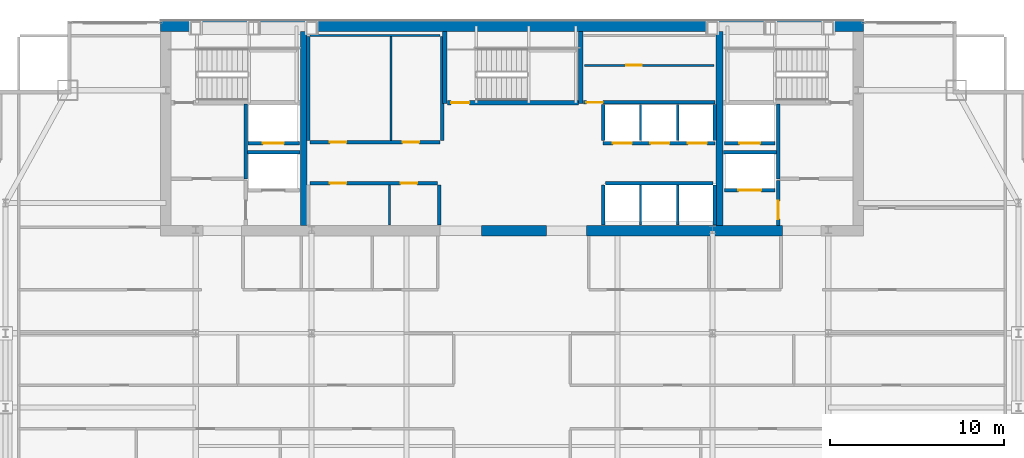
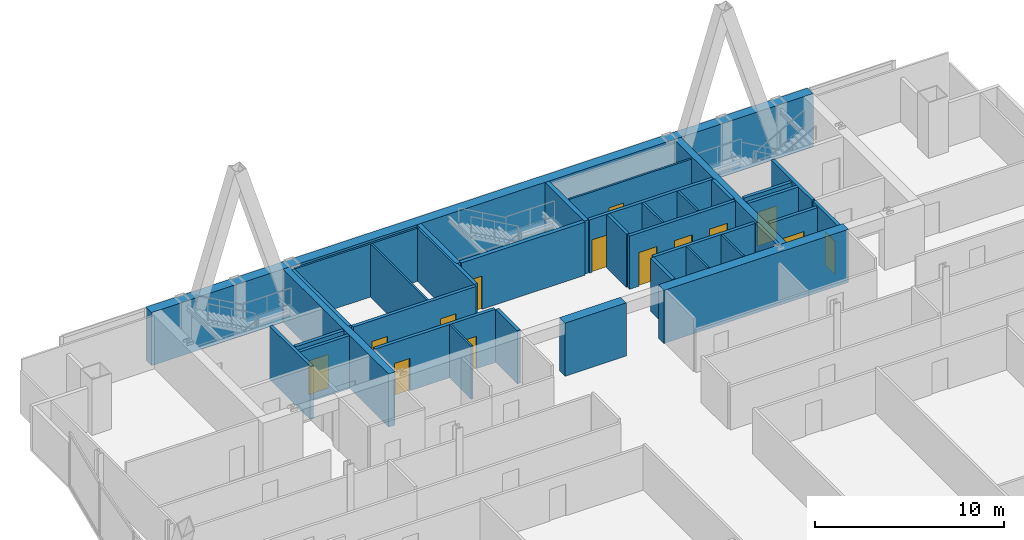
# One storey, part 29 of 32: 36 walls, 14 doors, 14 openings.
"""IFC4 building model written with IfcOpenShell, lengths in metres."""

from ifc_helpers import new_model, si_unit, direction, frame, frame_2d, origin, place, context, subcontext, project, spatial, rectangle, extrude, material, layer, layer_set, type_object, element, fill, save


model = new_model("IFC4")

# Units and contexts
model_context = context("Model", 3, precision=1e-05, world=origin(), true_north=direction((0.0, 1.0)))
body_context = subcontext(model_context, "Body", "Model", "MODEL_VIEW")
ifc_project = project(units=[si_unit("LENGTHUNIT", "METRE"), si_unit("AREAUNIT", "SQUARE_METRE"), si_unit("VOLUMEUNIT", "CUBIC_METRE"), si_unit("PLANEANGLEUNIT", "RADIAN"), si_unit("MASSUNIT", "GRAM", prefix="KILO")], contexts=[model_context])

# Site, building, storey
site_placement = place(None, origin())
site = spatial("IfcSite", under=ifc_project, at=site_placement, CompositionType="ELEMENT")
building_placement = place(site_placement, origin())
building = spatial("IfcBuilding", under=site, at=building_placement, Name="Khoronbel Lancet Exchange", CompositionType="ELEMENT")
storey_placement = place(building_placement, frame((0.0, 0.0, 221.0)))
storey = spatial("IfcBuildingStorey", under=building, at=storey_placement, Name="L56", CompositionType="ELEMENT", Elevation=221.0)

# Walls
ifc_material_1 = material(Name="Concrete C60/75", Category="concrete")
ifc_layer_1 = layer(ifc_material_1, 0.60009765625, Name="Concrete C60/75")
ifc_layer_set_1 = layer_set([ifc_layer_1], Name="Concrete C60/75")
wall_type_1 = type_object("IfcWallType", Name="WL-CW3", PredefinedType="SHEAR", material=ifc_layer_set_1)
wall_1_placement = place(storey_placement, frame((16.199951171875, 53.39990234375, 0.0), z_axis=(0.0, 0.0, 1.0), x_axis=(1.0, 0.0, 0.0)))
element("IfcWall", 1, at=wall_1_placement, inside=storey, type_object=wall_type_1, Name="Level L56 rear core north shear wall", PredefinedType="SHEAR", context=body_context, shape_type="SweptSolid", body=[
    extrude(rectangle(XDim=40.5, YDim=0.60009765625, at=frame_2d((20.25, 0.0))), origin(), (0.0, 0.0, 1.0), 3.43994140625),
])
wall_2_placement = place(storey_placement, frame((38.449951171875, 41.60009765625, 0.0), z_axis=(0.0, 0.0, 1.0), x_axis=(-1.0, 0.0, 0.0)))
element("IfcWall", 2, at=wall_2_placement, inside=storey, type_object=wall_type_1, Name="Level L56 rear core south shear wall pier P3", PredefinedType="SHEAR", context=body_context, shape_type="SweptSolid", body=[
    extrude(rectangle(XDim=3.75, YDim=0.60009765625, at=frame_2d((1.875, 0.0))), origin(), (0.0, 0.0, 1.0), 3.43994140625),
])
wall_3_placement = place(storey_placement, frame((52.050048828125, 41.60009765625, 0.0), z_axis=(0.0, 0.0, 1.0), x_axis=(-1.0, 0.0, 0.0)))
element("IfcWall", 3, at=wall_3_placement, inside=storey, type_object=wall_type_1, Name="Level L56 rear core south shear wall pier P4", PredefinedType="SHEAR", context=body_context, shape_type="SweptSolid", body=[
    extrude(rectangle(XDim=11.300048828125, YDim=0.60009765625, at=frame_2d((5.64990234375, 0.0))), origin(), (0.0, 0.0, 1.0), 3.43994140625),
])
ifc_material_2 = material(Name="Fire-Rated Metal-Stud & Mineral-Wool Gypsum Partition 120 mm", Category="gypsum")
ifc_layer_2 = layer(ifc_material_2, 0.1201171875, Name="Fire-Rated Metal-Stud & Mineral-Wool Gypsum Partition 120 mm")
ifc_layer_set_2 = layer_set([ifc_layer_2], Name="Fire-Rated Metal-Stud & Mineral-Wool Gypsum Partition 120 mm")
wall_type_2 = type_object("IfcWallType", Name="WL-PRT120F", PredefinedType="PARTITIONING", material=ifc_layer_set_2)
wall_4_placement = place(storey_placement, frame((24.804931640625, 52.860107421875, 0.0), z_axis=(0.0, 0.0, 1.0), x_axis=(1.0, 0.0, 0.0)))
element("IfcWall", 4, at=wall_4_placement, inside=storey, type_object=wall_type_2, Name="Level L56 interior partition CW-PL-RN", PredefinedType="PARTITIONING", context=body_context, shape_type="SweptSolid", body=[
    extrude(rectangle(XDim=7.510009765625, YDim=0.1201171875, at=frame_2d((3.7548828125, 0.0))), origin(), (0.0, 0.0, 1.0), 3.43994140625),
])
wall_5_placement = place(storey_placement, frame((29.486328125, 46.804931640625, 0.0), z_axis=(0.0, 0.0, 1.0), x_axis=(0.0, 1.0, 0.0)))
element("IfcWall", 5, at=wall_5_placement, inside=storey, type_object=wall_type_2, Name="Level L56 interior partition CW-PL-RS2", PredefinedType="PARTITIONING", context=body_context, shape_type="SweptSolid", body=[
    extrude(rectangle(XDim=5.989990234375, YDim=0.1201171875, at=frame_2d((2.9951171875, 0.0))), origin(), (0.0, 0.0, 1.0), 3.43994140625),
])
wall_6_placement = place(storey_placement, frame((29.381103515625, 41.949951171875, 0.0), z_axis=(0.0, 0.0, 1.0), x_axis=(0.0, 1.0, 0.0)))
element("IfcWall", 6, at=wall_6_placement, inside=storey, type_object=wall_type_2, Name="Level L56 interior partition CW-PM-RS2", PredefinedType="PARTITIONING", context=body_context, shape_type="SweptSolid", body=[
    extrude(rectangle(XDim=2.295166015625, YDim=0.1201171875, at=frame_2d((1.1474609375, 0.0))), origin(), (0.0, 0.0, 1.0), 3.43994140625),
])
for number, where, z_axis, x_axis, name in (
    (7, (43.860107421875, 46.800048828125, 0.0), (0.0, 0.0, 1.0), (0.0, 1.0, 0.0), "Level L56 interior partition CW-PH-D1"),
    (8, (46.0, 46.800048828125, 0.0), (0.0, 0.0, 1.0), (0.0, 1.0, 0.0), "Level L56 interior partition CW-PH-D2"),
):
    element("IfcWall", number, at=place(storey_placement, frame(where, z_axis=z_axis, x_axis=x_axis)), inside=storey, type_object=wall_type_2, Name=name, PredefinedType="PARTITIONING", context=body_context, shape_type="SweptSolid", body=[
        extrude(rectangle(XDim=2.094970703125, YDim=0.1201171875, at=frame_2d((1.04736328125, 0.0))), origin(), (0.0, 0.0, 1.0), 3.43994140625),
    ])
for number, where, z_axis, x_axis, name in (
    (9, (43.860107421875, 41.949951171875, 0.0), (0.0, 0.0, 1.0), (0.0, 1.0, 0.0), "Level L56 interior partition CW-PX-D1"),
    (10, (46.0, 41.949951171875, 0.0), (0.0, 0.0, 1.0), (0.0, 1.0, 0.0), "Level L56 interior partition CW-PX-D2"),
):
    element("IfcWall", number, at=place(storey_placement, frame(where, z_axis=z_axis, x_axis=x_axis)), inside=storey, type_object=wall_type_2, Name=name, PredefinedType="PARTITIONING", context=body_context, shape_type="SweptSolid", body=[
        extrude(rectangle(XDim=2.295166015625, YDim=0.1201171875, at=frame_2d((1.1474609375, 0.0))), origin(), (0.0, 0.0, 1.0), 3.43994140625),
    ])

# Wall, opening, door
wall_7_placement = place(storey_placement, frame((40.6298828125, 51.139892578125, 0.0), z_axis=(0.0, 0.0, 1.0), x_axis=(1.0, 0.0, 0.0)))
wall_7 = element("IfcWall", 11, at=wall_7_placement, inside=storey, type_object=wall_type_2, Name="Level L56 interior partition CW-SUP-NE-H", PredefinedType="PARTITIONING", context=body_context, shape_type="SweptSolid", body=[
    extrude(rectangle(XDim=7.460205078125, YDim=0.1201171875, at=frame_2d((3.72998046875, 0.0))), origin(), (0.0, 0.0, 1.0), 3.43994140625),
])
opening_1_placement = place(wall_7_placement, frame((2.39990234375, 0.0, 0.0)))
opening_1 = element("IfcOpeningElement", 12, at=opening_1_placement, cuts=wall_7, Name="Opening FD4", PredefinedType="OPENING", context=body_context, shape_type="SweptSolid", body=[
    extrude(rectangle(XDim=0.89990234375, YDim=2.050048828125, at=frame_2d((0.449951171875, 1.02490234375))), frame((0.0, 0.070068359375, 0.0), z_axis=(0.0, -1.0, 0.0), x_axis=(1.0, 0.0, 0.0)), (0.0, 0.0, 1.0), 0.14013671875),
])
ifc_material_3 = material(Name="Fire-Rated Steel Core Support Door Assembly", Category="steel")
door_type_1 = type_object("IfcDoorType", Name="DR-FD4", OperationType="NOTDEFINED", PredefinedType="DOOR", material=ifc_material_3)
door_1_placement = place(opening_1_placement, origin())
door_1 = element("IfcDoor", 13, at=door_1_placement, inside=storey, type_object=door_type_1, Name="Core NE north store door L56-1", OperationType="SINGLE_SWING_RIGHT", OverallHeight=2.050048828125, OverallWidth=0.89990234375, PredefinedType="DOOR", context=body_context, shape_type="SweptSolid", body=[
    extrude(rectangle(XDim=0.89990234375, YDim=2.050048828125, at=frame_2d((0.449951171875, 1.02490234375))), frame((0.0, 0.02490234375, 0.0), z_axis=(0.0, -1.0, 0.0), x_axis=(1.0, 0.0, 0.0)), (0.0, 0.0, 1.0), 0.050048828125),
])
fill(opening_1, door_1)

ifc_material_4 = material(Name="Autoclaved Aerated Concrete Blockwork 200 mm", Category="masonry")
ifc_layer_3 = layer(ifc_material_4, 0.199951171875, Name="Autoclaved Aerated Concrete Blockwork 200 mm")
ifc_layer_set_3 = layer_set([ifc_layer_3], Name="Autoclaved Aerated Concrete Blockwork 200 mm")
wall_type_3 = type_object("IfcWallType", Name="WL-PRT200", PredefinedType="PARTITIONING", material=ifc_layer_set_3)
wall_8_placement = place(storey_placement, frame((51.610107421875, 43.949951171875, 0.0), z_axis=(0.0, 0.0, 1.0), x_axis=(-1.0, 0.0, 0.0)))
wall_8 = element("IfcWall", 14, at=wall_8_placement, inside=storey, type_object=wall_type_3, Name="Level L56 elevator hoistway landing front wall SVLE", PredefinedType="PARTITIONING", context=body_context, shape_type="SweptSolid", body=[
    extrude(rectangle(XDim=2.920166015625, YDim=0.199951171875, at=frame_2d((1.4599609375, 0.0))), origin(), (0.0, 0.0, 1.0), 3.43994140625),
])
opening_2_placement = place(wall_8_placement, frame((0.81005859375, 0.0, 0.0)))
opening_2 = element("IfcOpeningElement", 15, at=opening_2_placement, cuts=wall_8, Name="Opening LD-SVL2", PredefinedType="OPENING", context=body_context, shape_type="SweptSolid", body=[
    extrude(rectangle(XDim=1.300048828125, YDim=2.179931640625, at=frame_2d((0.64990234375, 1.08984375))), frame((0.0, 0.10986328125, 0.0), z_axis=(0.0, -1.0, 0.0), x_axis=(1.0, 0.0, 0.0)), (0.0, 0.0, 1.0), 0.219970703125),
])
ifc_material_5 = material(Name="Heavy-Duty Bi-Parting Goods Lift Landing Door", Category="steel")
door_type_2 = type_object("IfcDoorType", Name="DR-LD-SVL", OperationType="NOTDEFINED", PredefinedType="DOOR", material=ifc_material_5)
door_2_placement = place(opening_2_placement, origin())
door_2 = element("IfcDoor", 16, at=door_2_placement, inside=storey, type_object=door_type_2, Name="Elevator landing sliding door LD-SVL2 L56", OperationType="SLIDING_TO_LEFT", OverallHeight=2.179931640625, OverallWidth=1.300048828125, PredefinedType="DOOR", context=body_context, shape_type="SweptSolid", body=[
    extrude(rectangle(XDim=1.300048828125, YDim=2.179931640625, at=frame_2d((0.64990234375, 1.08984375))), frame((0.0, 0.02490234375, 0.0), z_axis=(0.0, -1.0, 0.0), x_axis=(1.0, 0.0, 0.0)), (0.0, 0.0, 1.0), 0.050048828125),
])
fill(opening_2, door_2)

wall_9_placement = place(storey_placement, frame((51.610107421875, 46.64990234375, 0.0), z_axis=(0.0, 0.0, 1.0), x_axis=(-1.0, 0.0, 0.0)))
wall_9 = element("IfcWall", 17, at=wall_9_placement, inside=storey, type_object=wall_type_3, Name="Level L56 elevator hoistway landing front wall FFLE", PredefinedType="PARTITIONING", context=body_context, shape_type="SweptSolid", body=[
    extrude(rectangle(XDim=2.920166015625, YDim=0.199951171875, at=frame_2d((1.4599609375, 0.0))), origin(), (0.0, 0.0, 1.0), 3.43994140625),
])
opening_3_placement = place(wall_9_placement, frame((0.860107421875, 0.0, 0.0)))
opening_3 = element("IfcOpeningElement", 18, at=opening_3_placement, cuts=wall_9, Name="Opening LD-FFL2", PredefinedType="OPENING", context=body_context, shape_type="SweptSolid", body=[
    extrude(rectangle(XDim=1.199951171875, YDim=2.179931640625, at=frame_2d((0.60009765625, 1.08984375))), frame((0.0, 0.10986328125, 0.0), z_axis=(0.0, -1.0, 0.0), x_axis=(1.0, 0.0, 0.0)), (0.0, 0.0, 1.0), 0.219970703125),
])
ifc_material_6 = material(Name="Fire-Rated Stainless Bi-Parting Firefighting Lift Door", Category="steel")
door_type_3 = type_object("IfcDoorType", Name="DR-LD-FFL", OperationType="NOTDEFINED", PredefinedType="DOOR", material=ifc_material_6)
door_3_placement = place(opening_3_placement, origin())
door_3 = element("IfcDoor", 19, at=door_3_placement, inside=storey, type_object=door_type_3, Name="Elevator landing sliding door LD-FFL2 L56", OperationType="SLIDING_TO_LEFT", OverallHeight=2.179931640625, OverallWidth=1.199951171875, PredefinedType="DOOR", context=body_context, shape_type="SweptSolid", body=[
    extrude(rectangle(XDim=1.199951171875, YDim=2.179931640625, at=frame_2d((0.60009765625, 1.08984375))), frame((0.0, 0.02490234375, 0.0), z_axis=(0.0, -1.0, 0.0), x_axis=(1.0, 0.0, 0.0)), (0.0, 0.0, 1.0), 0.050048828125),
])
fill(opening_3, door_3)

wall_10_placement = place(storey_placement, frame((24.2099609375, 46.64990234375, 0.0), z_axis=(0.0, 0.0, 1.0), x_axis=(-1.0, 0.0, 0.0)))
wall_10 = element("IfcWall", 20, at=wall_10_placement, inside=storey, type_object=wall_type_3, Name="Level L56 elevator hoistway landing front wall FFLW", PredefinedType="PARTITIONING", context=body_context, shape_type="SweptSolid", body=[
    extrude(rectangle(XDim=2.969970703125, YDim=0.199951171875, at=frame_2d((1.48486328125, 0.0))), origin(), (0.0, 0.0, 1.0), 3.43994140625),
])
opening_4_placement = place(wall_10_placement, frame((0.909912109375, 0.0, 0.0)))
opening_4 = element("IfcOpeningElement", 21, at=opening_4_placement, cuts=wall_10, Name="Opening LD-FFL1", PredefinedType="OPENING", context=body_context, shape_type="SweptSolid", body=[
    extrude(rectangle(XDim=1.199951171875, YDim=2.179931640625, at=frame_2d((0.60009765625, 1.08984375))), frame((0.0, 0.10986328125, 0.0), z_axis=(0.0, -1.0, 0.0), x_axis=(1.0, 0.0, 0.0)), (0.0, 0.0, 1.0), 0.219970703125),
])
door_4_placement = place(opening_4_placement, origin())
door_4 = element("IfcDoor", 22, at=door_4_placement, inside=storey, type_object=door_type_3, Name="Elevator landing sliding door LD-FFL1 L56", OperationType="SLIDING_TO_LEFT", OverallHeight=2.179931640625, OverallWidth=1.199951171875, PredefinedType="DOOR", context=body_context, shape_type="SweptSolid", body=[
    extrude(rectangle(XDim=1.199951171875, YDim=2.179931640625, at=frame_2d((0.60009765625, 1.08984375))), frame((0.0, 0.02490234375, 0.0), z_axis=(0.0, -1.0, 0.0), x_axis=(1.0, 0.0, 0.0)), (0.0, 0.0, 1.0), 0.050048828125),
])
fill(opening_4, door_4)

# Wall, openings, doors
wall_11_placement = place(storey_placement, frame((48.159912109375, 46.64990234375, 0.0), z_axis=(0.0, 0.0, 1.0), x_axis=(-1.0, 0.0, 0.0)))
wall_11 = element("IfcWall", 23, at=wall_11_placement, inside=storey, type_object=wall_type_3, Name="Level L56 elevator hoistway landing front wall PHE", PredefinedType="PARTITIONING", context=body_context, shape_type="SweptSolid", body=[
    extrude(rectangle(XDim=6.47998046875, YDim=0.199951171875, at=frame_2d((3.239990234375, 0.0))), origin(), (0.0, 0.0, 1.0), 3.43994140625),
])
opening_5_placement = place(wall_11_placement, frame((4.800048828125, 0.0, 0.0)))
opening_5 = element("IfcOpeningElement", 24, at=opening_5_placement, cuts=wall_11, Name="Opening LD-PH1", PredefinedType="OPENING", context=body_context, shape_type="SweptSolid", body=[
    extrude(rectangle(XDim=1.10009765625, YDim=2.179931640625, at=frame_2d((0.550048828125, 1.08984375))), frame((0.0, 0.10986328125, 0.0), z_axis=(0.0, -1.0, 0.0), x_axis=(1.0, 0.0, 0.0)), (0.0, 0.0, 1.0), 0.219970703125),
])
opening_6_placement = place(wall_11_placement, frame((2.639892578125, 0.0, 0.0)))
opening_6 = element("IfcOpeningElement", 25, at=opening_6_placement, cuts=wall_11, Name="Opening LD-PH2", PredefinedType="OPENING", context=body_context, shape_type="SweptSolid", body=[
    extrude(rectangle(XDim=1.10009765625, YDim=2.179931640625, at=frame_2d((0.550048828125, 1.08984375))), frame((0.0, 0.10986328125, 0.0), z_axis=(0.0, -1.0, 0.0), x_axis=(1.0, 0.0, 0.0)), (0.0, 0.0, 1.0), 0.219970703125),
])
opening_7_placement = place(wall_11_placement, frame((0.47998046875, 0.0, 0.0)))
opening_7 = element("IfcOpeningElement", 26, at=opening_7_placement, cuts=wall_11, Name="Opening LD-PH3", PredefinedType="OPENING", context=body_context, shape_type="SweptSolid", body=[
    extrude(rectangle(XDim=1.10009765625, YDim=2.179931640625, at=frame_2d((0.550048828125, 1.08984375))), frame((0.0, 0.10986328125, 0.0), z_axis=(0.0, -1.0, 0.0), x_axis=(1.0, 0.0, 0.0)), (0.0, 0.0, 1.0), 0.219970703125),
])
ifc_material_7 = material(Name="Brushed Bronze Bi-Parting Elevator Landing Door", Category="steel")
door_type_4 = type_object("IfcDoorType", Name="DR-LD-PAX", OperationType="NOTDEFINED", PredefinedType="DOOR", material=ifc_material_7)
door_5_placement = place(opening_5_placement, origin())
door_5 = element("IfcDoor", 27, at=door_5_placement, inside=storey, type_object=door_type_4, Name="Elevator landing sliding door LD-PH1 L56", OperationType="SLIDING_TO_LEFT", OverallHeight=2.179931640625, OverallWidth=1.10009765625, PredefinedType="DOOR", context=body_context, shape_type="SweptSolid", body=[
    extrude(rectangle(XDim=1.10009765625, YDim=2.179931640625, at=frame_2d((0.550048828125, 1.08984375))), frame((0.0, 0.02490234375, 0.0), z_axis=(0.0, -1.0, 0.0), x_axis=(1.0, 0.0, 0.0)), (0.0, 0.0, 1.0), 0.050048828125),
])
fill(opening_5, door_5)
door_6_placement = place(opening_6_placement, origin())
door_6 = element("IfcDoor", 28, at=door_6_placement, inside=storey, type_object=door_type_4, Name="Elevator landing sliding door LD-PH2 L56", OperationType="SLIDING_TO_LEFT", OverallHeight=2.179931640625, OverallWidth=1.10009765625, PredefinedType="DOOR", context=body_context, shape_type="SweptSolid", body=[
    extrude(rectangle(XDim=1.10009765625, YDim=2.179931640625, at=frame_2d((0.550048828125, 1.08984375))), frame((0.0, 0.02490234375, 0.0), z_axis=(0.0, -1.0, 0.0), x_axis=(1.0, 0.0, 0.0)), (0.0, 0.0, 1.0), 0.050048828125),
])
fill(opening_6, door_6)
door_7_placement = place(opening_7_placement, origin())
door_7 = element("IfcDoor", 29, at=door_7_placement, inside=storey, type_object=door_type_4, Name="Elevator landing sliding door LD-PH3 L56", OperationType="SLIDING_TO_LEFT", OverallHeight=2.179931640625, OverallWidth=1.10009765625, PredefinedType="DOOR", context=body_context, shape_type="SweptSolid", body=[
    extrude(rectangle(XDim=1.10009765625, YDim=2.179931640625, at=frame_2d((0.550048828125, 1.08984375))), frame((0.0, 0.02490234375, 0.0), z_axis=(0.0, -1.0, 0.0), x_axis=(1.0, 0.0, 0.0)), (0.0, 0.0, 1.0), 0.050048828125),
])
fill(opening_7, door_7)

# Walls
wall_12_placement = place(storey_placement, frame((21.10009765625, 44.60009765625, 0.0), z_axis=(0.0, 0.0, 1.0), x_axis=(0.0, 1.0, 0.0)))
element("IfcWall", 30, at=wall_12_placement, inside=storey, type_object=wall_type_3, Name="Level L56 interior partition CW-FFLW-E", PredefinedType="PARTITIONING", context=body_context, shape_type="SweptSolid", body=[
    extrude(rectangle(XDim=4.2998046875, YDim=0.199951171875, at=frame_2d((2.14990234375, 0.0))), origin(), (0.0, 0.0, 1.0), 3.43994140625),
])
wall_13_placement = place(storey_placement, frame((21.199951171875, 46.1201171875, 0.0), z_axis=(0.0, 0.0, 1.0), x_axis=(1.0, 0.0, 0.0)))
element("IfcWall", 31, at=wall_13_placement, inside=storey, type_object=wall_type_3, Name="Level L56 interior partition CW-FFL1-S", PredefinedType="PARTITIONING", context=body_context, shape_type="SweptSolid", body=[
    extrude(rectangle(XDim=3.02001953125, YDim=0.199951171875, at=frame_2d((1.510009765625, 0.0))), origin(), (0.0, 0.0, 1.0), 3.43994140625),
])
wall_14_placement = place(storey_placement, frame((51.800048828125, 44.60009765625, 0.0), z_axis=(0.0, 0.0, 1.0), x_axis=(0.0, 1.0, 0.0)))
element("IfcWall", 32, at=wall_14_placement, inside=storey, type_object=wall_type_3, Name="Level L56 interior partition CW-FFLE-W", PredefinedType="PARTITIONING", context=body_context, shape_type="SweptSolid", body=[
    extrude(rectangle(XDim=4.2998046875, YDim=0.199951171875, at=frame_2d((2.14990234375, 0.0))), origin(), (0.0, 0.0, 1.0), 3.43994140625),
])
wall_15_placement = place(storey_placement, frame((48.6298828125, 46.1201171875, 0.0), z_axis=(0.0, 0.0, 1.0), x_axis=(1.0, 0.0, 0.0)))
element("IfcWall", 33, at=wall_15_placement, inside=storey, type_object=wall_type_3, Name="Level L56 interior partition CW-FFL2-S", PredefinedType="PARTITIONING", context=body_context, shape_type="SweptSolid", body=[
    extrude(rectangle(XDim=3.070068359375, YDim=0.199951171875, at=frame_2d((1.53515625, 0.0))), origin(), (0.0, 0.0, 1.0), 3.43994140625),
])

# Wall, opening, door
wall_16_placement = place(storey_placement, frame((51.800048828125, 41.89990234375, 0.0), z_axis=(0.0, 0.0, 1.0), x_axis=(0.0, 1.0, 0.0)))
wall_16 = element("IfcWall", 34, at=wall_16_placement, inside=storey, type_object=wall_type_3, Name="Level L56 interior partition CW-SVLE-E", PredefinedType="PARTITIONING", context=body_context, shape_type="SweptSolid", body=[
    extrude(rectangle(XDim=2.59521484375, YDim=0.199951171875, at=frame_2d((1.297607421875, 0.0))), origin(), (0.0, 0.0, 1.0), 3.43994140625),
])
opening_8_placement = place(wall_16_placement, frame((0.3798828125, 0.0, 0.0)))
opening_8 = element("IfcOpeningElement", 35, at=opening_8_placement, cuts=wall_16, Name="Opening FD1", PredefinedType="OPENING", context=body_context, shape_type="SweptSolid", body=[
    extrude(rectangle(XDim=1.050048828125, YDim=2.14990234375, at=frame_2d((0.52490234375, 1.074951171875))), frame((0.0, 0.10986328125, 0.0), z_axis=(0.0, -1.0, 0.0), x_axis=(1.0, 0.0, 0.0)), (0.0, 0.0, 1.0), 0.219970703125),
])
ifc_material_8 = material(Name="Fire-Rated Painted Steel Door Assembly", Category="steel")
door_type_5 = type_object("IfcDoorType", Name="DR-FD1", OperationType="NOTDEFINED", PredefinedType="DOOR", material=ifc_material_8)
door_8_placement = place(opening_8_placement, origin())
door_8 = element("IfcDoor", 36, at=door_8_placement, inside=storey, type_object=door_type_5, Name="East service lift lobby door L56-1", OperationType="SINGLE_SWING_RIGHT", OverallHeight=2.14990234375, OverallWidth=1.050048828125, PredefinedType="DOOR", context=body_context, shape_type="SweptSolid", body=[
    extrude(rectangle(XDim=1.050048828125, YDim=2.14990234375, at=frame_2d((0.52490234375, 1.074951171875))), frame((0.0, 0.02490234375, 0.0), z_axis=(0.0, -1.0, 0.0), x_axis=(1.0, 0.0, 0.0)), (0.0, 0.0, 1.0), 0.050048828125),
])
fill(opening_8, door_8)

# Walls
for number, where, z_axis, x_axis, name in (
    (37, (24.699951171875, 46.804931640625, 0.0), (0.0, 0.0, 1.0), (0.0, 1.0, 0.0), "Level L56 interior partition CW-PL-RW"),
    (38, (32.419921875, 46.804931640625, 0.0), (0.0, 0.0, 1.0), (0.0, 1.0, 0.0), "Level L56 interior partition CW-PL-RE"),
):
    element("IfcWall", number, at=place(storey_placement, frame(where, z_axis=z_axis, x_axis=x_axis)), inside=storey, type_object=wall_type_3, Name=name, PredefinedType="PARTITIONING", context=body_context, shape_type="SweptSolid", body=[
        extrude(rectangle(XDim=5.989990234375, YDim=0.199951171875, at=frame_2d((2.9951171875, 0.0))), origin(), (0.0, 0.0, 1.0), 3.43994140625),
    ])

# Wall, openings, doors
wall_17_placement = place(storey_placement, frame((24.804931640625, 46.699951171875, 0.0), z_axis=(0.0, 0.0, 1.0), x_axis=(1.0, 0.0, 0.0)))
wall_17 = element("IfcWall", 39, at=wall_17_placement, inside=storey, type_object=wall_type_3, Name="Level L56 interior partition CW-PL-RF", PredefinedType="PARTITIONING", context=body_context, shape_type="SweptSolid", body=[
    extrude(rectangle(XDim=7.510009765625, YDim=0.199951171875, at=frame_2d((3.7548828125, 0.0))), origin(), (0.0, 0.0, 1.0), 3.43994140625),
])
opening_9_placement = place(wall_17_placement, frame((1.14990234375, 0.0, 0.0)))
opening_9 = element("IfcOpeningElement", 40, at=opening_9_placement, cuts=wall_17, Name="Opening FD3", PredefinedType="OPENING", context=body_context, shape_type="SweptSolid", body=[
    extrude(rectangle(XDim=0.949951171875, YDim=2.10009765625, at=frame_2d((0.47509765625, 1.050048828125))), frame((0.0, 0.10986328125, 0.0), z_axis=(0.0, -1.0, 0.0), x_axis=(1.0, 0.0, 0.0)), (0.0, 0.0, 1.0), 0.219970703125),
])
opening_10_placement = place(wall_17_placement, frame((5.33642578125, 0.0, 0.0)))
opening_10 = element("IfcOpeningElement", 41, at=opening_10_placement, cuts=wall_17, Name="Opening FD3", PredefinedType="OPENING", context=body_context, shape_type="SweptSolid", body=[
    extrude(rectangle(XDim=0.949951171875, YDim=2.10009765625, at=frame_2d((0.47509765625, 1.050048828125))), frame((0.0, 0.10986328125, 0.0), z_axis=(0.0, -1.0, 0.0), x_axis=(1.0, 0.0, 0.0)), (0.0, 0.0, 1.0), 0.219970703125),
])
ifc_material_9 = material(Name="Fire-Rated Steel Plant & Riser Door Assembly", Category="steel")
door_type_6 = type_object("IfcDoorType", Name="DR-FD3", OperationType="NOTDEFINED", PredefinedType="DOOR", material=ifc_material_9)
door_9_placement = place(opening_9_placement, origin())
door_9 = element("IfcDoor", 42, at=door_9_placement, inside=storey, type_object=door_type_6, Name="Reclaimed PL C door L56-1", OperationType="SINGLE_SWING_LEFT", OverallHeight=2.10009765625, OverallWidth=0.949951171875, PredefinedType="DOOR", context=body_context, shape_type="SweptSolid", body=[
    extrude(rectangle(XDim=0.949951171875, YDim=2.10009765625, at=frame_2d((0.47509765625, 1.050048828125))), frame((0.0, 0.02490234375, 0.0), z_axis=(0.0, -1.0, 0.0), x_axis=(1.0, 0.0, 0.0)), (0.0, 0.0, 1.0), 0.050048828125),
])
fill(opening_9, door_9)
door_10_placement = place(opening_10_placement, origin())
door_10 = element("IfcDoor", 43, at=door_10_placement, inside=storey, type_object=door_type_6, Name="Reclaimed PL D door L56-2", OperationType="SINGLE_SWING_RIGHT", OverallHeight=2.10009765625, OverallWidth=0.949951171875, PredefinedType="DOOR", context=body_context, shape_type="SweptSolid", body=[
    extrude(rectangle(XDim=0.949951171875, YDim=2.10009765625, at=frame_2d((0.47509765625, 1.050048828125))), frame((0.0, 0.02490234375, 0.0), z_axis=(0.0, -1.0, 0.0), x_axis=(1.0, 0.0, 0.0)), (0.0, 0.0, 1.0), 0.050048828125),
])
fill(opening_10, door_10)

# Wall
wall_18_placement = place(storey_placement, frame((32.25, 41.949951171875, 0.0), z_axis=(0.0, 0.0, 1.0), x_axis=(0.0, 1.0, 0.0)))
element("IfcWall", 44, at=wall_18_placement, inside=storey, type_object=wall_type_3, Name="Level L56 interior partition CW-PM-RE", PredefinedType="PARTITIONING", context=body_context, shape_type="SweptSolid", body=[
    extrude(rectangle(XDim=2.295166015625, YDim=0.199951171875, at=frame_2d((1.1474609375, 0.0))), origin(), (0.0, 0.0, 1.0), 3.43994140625),
])

# Wall, openings, doors
wall_19_placement = place(storey_placement, frame((24.804931640625, 44.35009765625, 0.0), z_axis=(0.0, 0.0, 1.0), x_axis=(1.0, 0.0, 0.0)))
wall_19 = element("IfcWall", 45, at=wall_19_placement, inside=storey, type_object=wall_type_3, Name="Level L56 interior partition CW-PM-RF", PredefinedType="PARTITIONING", context=body_context, shape_type="SweptSolid", body=[
    extrude(rectangle(XDim=7.340087890625, YDim=0.199951171875, at=frame_2d((3.669921875, 0.0))), origin(), (0.0, 0.0, 1.0), 3.43994140625),
])
opening_11_placement = place(wall_19_placement, frame((1.14990234375, 0.0, 0.0)))
opening_11 = element("IfcOpeningElement", 46, at=opening_11_placement, cuts=wall_19, Name="Opening FD3", PredefinedType="OPENING", context=body_context, shape_type="SweptSolid", body=[
    extrude(rectangle(XDim=0.949951171875, YDim=2.10009765625, at=frame_2d((0.47509765625, 1.050048828125))), frame((0.0, 0.10986328125, 0.0), z_axis=(0.0, -1.0, 0.0), x_axis=(1.0, 0.0, 0.0)), (0.0, 0.0, 1.0), 0.219970703125),
])
opening_12_placement = place(wall_19_placement, frame((5.23095703125, 0.0, 0.0)))
opening_12 = element("IfcOpeningElement", 47, at=opening_12_placement, cuts=wall_19, Name="Opening FD3", PredefinedType="OPENING", context=body_context, shape_type="SweptSolid", body=[
    extrude(rectangle(XDim=0.949951171875, YDim=2.10009765625, at=frame_2d((0.47509765625, 1.050048828125))), frame((0.0, 0.10986328125, 0.0), z_axis=(0.0, -1.0, 0.0), x_axis=(1.0, 0.0, 0.0)), (0.0, 0.0, 1.0), 0.219970703125),
])
door_11_placement = place(opening_11_placement, origin())
door_11 = element("IfcDoor", 48, at=door_11_placement, inside=storey, type_object=door_type_6, Name="Reclaimed PM C door L56-1", OperationType="SINGLE_SWING_LEFT", OverallHeight=2.10009765625, OverallWidth=0.949951171875, PredefinedType="DOOR", context=body_context, shape_type="SweptSolid", body=[
    extrude(rectangle(XDim=0.949951171875, YDim=2.10009765625, at=frame_2d((0.47509765625, 1.050048828125))), frame((0.0, 0.02490234375, 0.0), z_axis=(0.0, -1.0, 0.0), x_axis=(1.0, 0.0, 0.0)), (0.0, 0.0, 1.0), 0.050048828125),
])
fill(opening_11, door_11)
door_12_placement = place(opening_12_placement, origin())
door_12 = element("IfcDoor", 49, at=door_12_placement, inside=storey, type_object=door_type_6, Name="Reclaimed PM D door L56-2", OperationType="SINGLE_SWING_RIGHT", OverallHeight=2.10009765625, OverallWidth=0.949951171875, PredefinedType="DOOR", context=body_context, shape_type="SweptSolid", body=[
    extrude(rectangle(XDim=0.949951171875, YDim=2.10009765625, at=frame_2d((0.47509765625, 1.050048828125))), frame((0.0, 0.02490234375, 0.0), z_axis=(0.0, -1.0, 0.0), x_axis=(1.0, 0.0, 0.0)), (0.0, 0.0, 1.0), 0.050048828125),
])
fill(opening_12, door_12)

# Walls
for number, where, z_axis, x_axis, name in (
    (50, (41.719970703125, 46.800048828125, 0.0), (0.0, 0.0, 1.0), (0.0, 1.0, 0.0), "Level L56 interior partition CW-PH-W"),
    (51, (48.139892578125, 46.800048828125, 0.0), (0.0, 0.0, 1.0), (0.0, 1.0, 0.0), "Level L56 interior partition CW-PH-E"),
):
    element("IfcWall", number, at=place(storey_placement, frame(where, z_axis=z_axis, x_axis=x_axis)), inside=storey, type_object=wall_type_3, Name=name, PredefinedType="PARTITIONING", context=body_context, shape_type="SweptSolid", body=[
        extrude(rectangle(XDim=2.094970703125, YDim=0.199951171875, at=frame_2d((1.04736328125, 0.0))), origin(), (0.0, 0.0, 1.0), 3.43994140625),
    ])
wall_20_placement = place(storey_placement, frame((41.824951171875, 44.35009765625, 0.0), z_axis=(0.0, 0.0, 1.0), x_axis=(1.0, 0.0, 0.0)))
element("IfcWall", 52, at=wall_20_placement, inside=storey, type_object=wall_type_3, Name="Level L56 interior partition CW-PX-EXP", PredefinedType="PARTITIONING", context=body_context, shape_type="SweptSolid", body=[
    extrude(rectangle(XDim=6.2099609375, YDim=0.199951171875, at=frame_2d((3.10498046875, 0.0))), origin(), (0.0, 0.0, 1.0), 3.43994140625),
])
for number, where, z_axis, x_axis, name in (
    (53, (41.719970703125, 41.949951171875, 0.0), (0.0, 0.0, 1.0), (0.0, 1.0, 0.0), "Level L56 interior partition CW-PX-W"),
    (54, (48.139892578125, 41.949951171875, 0.0), (0.0, 0.0, 1.0), (0.0, 1.0, 0.0), "Level L56 interior partition CW-PX-E"),
):
    element("IfcWall", number, at=place(storey_placement, frame(where, z_axis=z_axis, x_axis=x_axis)), inside=storey, type_object=wall_type_3, Name=name, PredefinedType="PARTITIONING", context=body_context, shape_type="SweptSolid", body=[
        extrude(rectangle(XDim=2.295166015625, YDim=0.199951171875, at=frame_2d((1.1474609375, 0.0))), origin(), (0.0, 0.0, 1.0), 3.43994140625),
    ])

# Wall, opening, door
wall_21_placement = place(storey_placement, frame((40.580078125, 49.0, 0.0), z_axis=(0.0, 0.0, 1.0), x_axis=(1.0, 0.0, 0.0)))
wall_21 = element("IfcWall", 55, at=wall_21_placement, inside=storey, type_object=wall_type_3, Name="Level L56 interior partition CW-SUP-NE-S", PredefinedType="PARTITIONING", context=body_context, shape_type="SweptSolid", body=[
    extrude(rectangle(XDim=7.559814453125, YDim=0.199951171875, at=frame_2d((3.77978515625, 0.0))), origin(), (0.0, 0.0, 1.0), 3.43994140625),
])
opening_13_placement = place(wall_21_placement, frame((0.159912109375, 0.0, 0.0)))
opening_13 = element("IfcOpeningElement", 56, at=opening_13_placement, cuts=wall_21, Name="Opening FD3", PredefinedType="OPENING", context=body_context, shape_type="SweptSolid", body=[
    extrude(rectangle(XDim=0.949951171875, YDim=2.10009765625, at=frame_2d((0.47509765625, 1.050048828125))), frame((0.0, 0.10986328125, 0.0), z_axis=(0.0, -1.0, 0.0), x_axis=(1.0, 0.0, 0.0)), (0.0, 0.0, 1.0), 0.219970703125),
])
door_13_placement = place(opening_13_placement, origin())
door_13 = element("IfcDoor", 57, at=door_13_placement, inside=storey, type_object=door_type_6, Name="Core NE support room door L56-1", OperationType="SINGLE_SWING_LEFT", OverallHeight=2.10009765625, OverallWidth=0.949951171875, PredefinedType="DOOR", context=body_context, shape_type="SweptSolid", body=[
    extrude(rectangle(XDim=0.949951171875, YDim=2.10009765625, at=frame_2d((0.47509765625, 1.050048828125))), frame((0.0, 0.02490234375, 0.0), z_axis=(0.0, -1.0, 0.0), x_axis=(1.0, 0.0, 0.0)), (0.0, 0.0, 1.0), 0.050048828125),
])
fill(opening_13, door_13)

# Walls
ifc_layer_4 = layer(ifc_material_1, 0.39990234375, Name="Concrete C60/75")
ifc_layer_set_4 = layer_set([ifc_layer_4], Name="Concrete C60/75")
wall_type_4 = type_object("IfcWallType", Name="WL-SW2", PredefinedType="SHEAR", material=ifc_layer_set_4)
for number, where, z_axis, x_axis, name in (
    (58, (24.449951171875, 41.89990234375, 0.0), (0.0, 0.0, 1.0), (0.0, 1.0, 0.0), "Level L56 rear core internal spine shear wall IW"),
    (59, (48.39990234375, 41.89990234375, 0.0), (0.0, 0.0, 1.0), (0.0, 1.0, 0.0), "Level L56 rear core internal spine shear wall IE"),
):
    element("IfcWall", number, at=place(storey_placement, frame(where, z_axis=z_axis, x_axis=x_axis)), inside=storey, type_object=wall_type_4, Name=name, PredefinedType="SHEAR", context=body_context, shape_type="SweptSolid", body=[
        extrude(rectangle(XDim=11.2001953125, YDim=0.39990234375, at=frame_2d((5.60009765625, 0.0))), origin(), (0.0, 0.0, 1.0), 3.43994140625),
    ])
ifc_layer_5 = layer(ifc_material_1, 0.260009765625, Name="Concrete C60/75")
ifc_layer_set_5 = layer_set([ifc_layer_5], Name="Concrete C60/75")
wall_type_5 = type_object("IfcWallType", Name="WL-SW3", PredefinedType="SHEAR", material=ifc_layer_set_5)
for number, where, z_axis, x_axis, name in (
    (60, (32.580078125, 48.949951171875, 0.0), (0.0, 0.0, 1.0), (0.0, 1.0, 0.0), "Level L56 central stairwell structural shear wall ST3W"),
    (61, (40.419921875, 48.949951171875, 0.0), (0.0, 0.0, 1.0), (0.0, 1.0, 0.0), "Level L56 central stairwell structural shear wall ST3E"),
):
    element("IfcWall", number, at=place(storey_placement, frame(where, z_axis=z_axis, x_axis=x_axis)), inside=storey, type_object=wall_type_5, Name=name, PredefinedType="SHEAR", context=body_context, shape_type="SweptSolid", body=[
        extrude(rectangle(XDim=4.150146484375, YDim=0.260009765625, at=frame_2d((2.0751953125, 0.0))), origin(), (0.0, 0.0, 1.0), 3.43994140625),
    ])

# Wall, opening, door
wall_22_placement = place(storey_placement, frame((32.719970703125, 48.97998046875, 0.0), z_axis=(0.0, 0.0, 1.0), x_axis=(1.0, 0.0, 0.0)))
wall_22 = element("IfcWall", 62, at=wall_22_placement, inside=storey, type_object=wall_type_5, Name="Level L56 central stairwell structural south wall", PredefinedType="SHEAR", context=body_context, shape_type="SweptSolid", body=[
    extrude(rectangle(XDim=7.56005859375, YDim=0.239990234375, at=frame_2d((3.780029296875, 0.0))), origin(), (0.0, 0.0, 1.0), 3.43994140625),
])
opening_14_placement = place(wall_22_placement, frame((0.219970703125, 0.0, 0.0)))
opening_14 = element("IfcOpeningElement", 63, at=opening_14_placement, cuts=wall_22, Name="Opening SD1", PredefinedType="OPENING", context=body_context, shape_type="SweptSolid", body=[
    extrude(rectangle(XDim=1.050048828125, YDim=2.14990234375, at=frame_2d((0.52490234375, 1.074951171875))), frame((0.0, 0.1298828125, 0.0), z_axis=(0.0, -1.0, 0.0), x_axis=(1.0, 0.0, 0.0)), (0.0, 0.0, 1.0), 0.260009765625),
])
ifc_material_10 = material(Name="Fire-Rated Steel Stairwell Door Assembly", Category="steel")
door_type_7 = type_object("IfcDoorType", Name="DR-SD1", OperationType="NOTDEFINED", PredefinedType="DOOR", material=ifc_material_10)
door_14_placement = place(opening_14_placement, origin())
door_14 = element("IfcDoor", 64, at=door_14_placement, inside=storey, type_object=door_type_7, Name="Protected exit stair ST3 door L56", OperationType="SINGLE_SWING_LEFT", OverallHeight=2.14990234375, OverallWidth=1.050048828125, PredefinedType="DOOR", context=body_context, shape_type="SweptSolid", body=[
    extrude(rectangle(XDim=1.050048828125, YDim=2.14990234375, at=frame_2d((0.52490234375, 1.074951171875))), frame((0.0, 0.02490234375, 0.0), z_axis=(0.0, -1.0, 0.0), x_axis=(1.0, 0.0, 0.0)), (0.0, 0.0, 1.0), 0.050048828125),
])
fill(opening_14, door_14)

save(model, "model.ifc")
